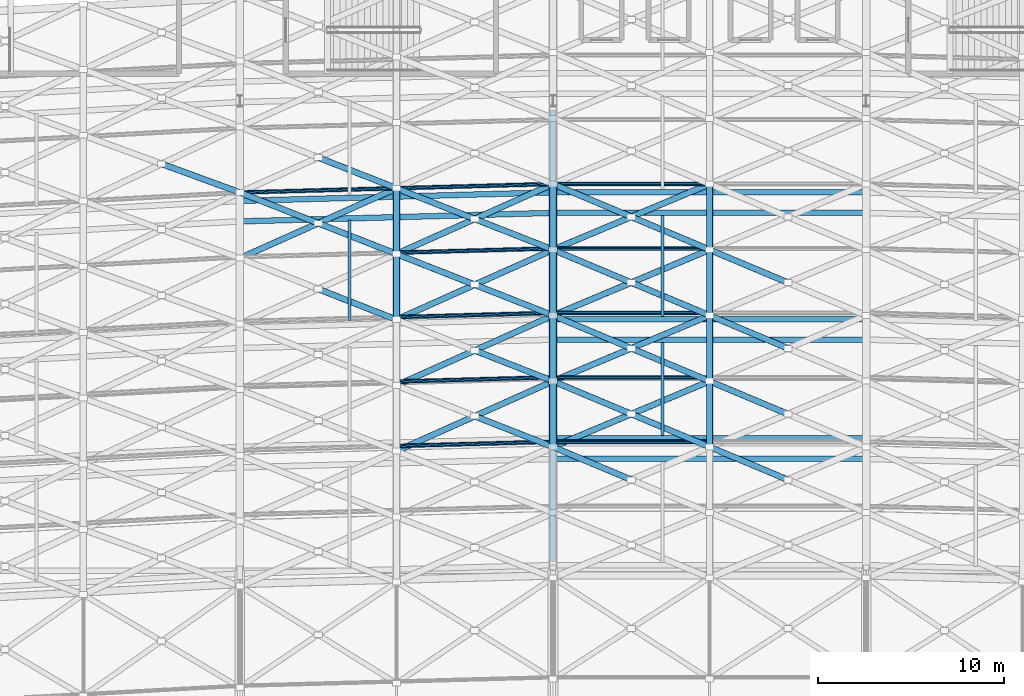
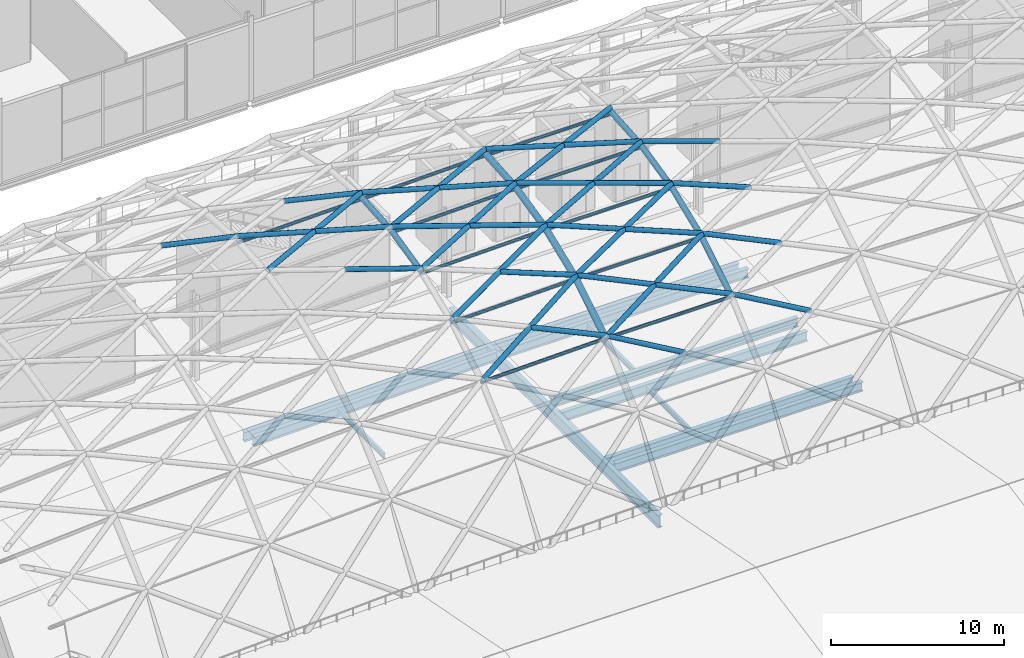
# One storey, part 19 of 100: 54 members, 12 beams.
"""IFC4 building model written with IfcOpenShell, lengths in metres."""

from ifc_helpers import new_model, si_unit, direction, frame, origin, origin_2d, place, context, subcontext, project, spatial, hollow_circle, i_section, extrude, material, material_profile, profile_set, type_object, element, save


model = new_model("IFC4")

# Units and contexts
model_context = context("Model", 3, precision=1e-05, world=origin(), true_north=direction((0.0, 1.0)))
body_context = subcontext(model_context, "Body", "Model", "MODEL_VIEW")
ifc_project = project(units=[si_unit("LENGTHUNIT", "METRE"), si_unit("AREAUNIT", "SQUARE_METRE"), si_unit("VOLUMEUNIT", "CUBIC_METRE"), si_unit("PLANEANGLEUNIT", "RADIAN"), si_unit("MASSUNIT", "GRAM", prefix="KILO")], contexts=[model_context])

# Site, building, storey
site_placement = place(None, origin())
site = spatial("IfcSite", under=ifc_project, at=site_placement, CompositionType="ELEMENT")
building_placement = place(site_placement, origin())
building = spatial("IfcBuilding", under=site, at=building_placement, Name="Kimbaza Rail Terminus", CompositionType="ELEMENT")
storey_placement = place(building_placement, frame((0.0, 0.0, 10.800048828125)))
storey = spatial("IfcBuildingStorey", under=building, at=storey_placement, Name="L02", CompositionType="ELEMENT", Elevation=10.800048828125)

# Beams
ifc_material_1 = material(Name="Steel S355", Category="steel")
ifc_material_profile_1 = material_profile(ifc_material_1, i_section(OverallWidth=0.300048828125, OverallDepth=0.64990234375, WebThickness=0.01611328125, FlangeThickness=0.031005859375, FilletRadius=0.027099609375, at=origin_2d()), Name="HEB 650")
ifc_profile_set_1 = profile_set([ifc_material_profile_1], Name="Steel S355")
beam_type_1 = type_object("IfcBeamType", Name="STR-BM-HEB650", PredefinedType="USERDEFINED", material=ifc_profile_set_1)
beam_1_placement = place(storey_placement, frame((88.945068359375, 73.74169921875, -0.5849609375), z_axis=(0.999632852013, 0.027095408765, 0.0), x_axis=(-0.027095408765, 0.999632852013, 0.0)))
element("IfcBeam", 1, at=beam_1_placement, inside=storey, type_object=beam_type_1, Name="Viaduct Chorded Girder P2 Bay 05", ObjectType="GIRDER", PredefinedType="USERDEFINED", context=body_context, shape_type="SweptSolid", body=[
    extrude(i_section(OverallWidth=0.300048828125, OverallDepth=0.64990234375, WebThickness=0.01611328125, FlangeThickness=0.031005859375, FilletRadius=0.027099609375, at=origin_2d()), origin(), (0.0, 0.0, 1.0), 16.51611328125),
])
for number, where, z_axis, x_axis, name in (
    (2, (105.7451171875, 60.9931640625, -0.5849609375), (1.0, 0.0, 0.0), (0.0, 1.0, 0.0), "Viaduct Chorded Girder P1 Bay 06"),
    (3, (105.7451171875, 68.4931640625, -0.5849609375), (1.0, 0.0, 0.0), (0.0, 1.0, 0.0), "Viaduct Chorded Girder P2 Bay 06"),
    (4, (105.7451171875, 74.193115234375, -0.5849609375), (1.0, 0.0, 0.0), (0.0, 1.0, 0.0), "Viaduct Chorded Girder P2 Bay 06"),
):
    element("IfcBeam", number, at=place(storey_placement, frame(where, z_axis=z_axis, x_axis=x_axis)), inside=storey, type_object=beam_type_1, Name=name, ObjectType="GIRDER", PredefinedType="USERDEFINED", context=body_context, shape_type="SweptSolid", body=[
        extrude(i_section(OverallWidth=0.300048828125, OverallDepth=0.64990234375, WebThickness=0.01611328125, FlangeThickness=0.031005859375, FilletRadius=0.027099609375, at=origin_2d()), origin(), (0.0, 0.0, 1.0), 16.509765625),
    ])
ifc_material_2 = material(Name="Steel S355", Category="steel")
ifc_material_profile_2 = material_profile(ifc_material_2, i_section(OverallWidth=0.300048828125, OverallDepth=0.699951171875, WebThickness=0.01708984375, FlangeThickness=0.031982421875, FilletRadius=0.027099609375, at=origin_2d()), Name="HEB 700")
ifc_profile_set_2 = profile_set([ifc_material_profile_2], Name="Steel S355")
beam_type_2 = type_object("IfcBeamType", Name="STR-BM-HEB700", PredefinedType="USERDEFINED", material=ifc_profile_set_2)
beam_2_placement = place(storey_placement, frame((88.945068359375, 74.841552734375, -0.920166015625), z_axis=(0.999632852013, 0.027095408765, 0.0), x_axis=(-0.027095408765, 0.999632852013, 0.0)))
element("IfcBeam", 5, at=beam_2_placement, inside=storey, type_object=beam_type_2, Name="Viaduct Chorded Girder TR34 Bay 05", ObjectType="GIRDER", PredefinedType="USERDEFINED", context=body_context, shape_type="SweptSolid", body=[
    extrude(i_section(OverallWidth=0.300048828125, OverallDepth=0.699951171875, WebThickness=0.01708984375, FlangeThickness=0.031982421875, FilletRadius=0.027099609375, at=origin_2d()), origin(), (0.0, 0.0, 1.0), 16.51611328125),
])
for number, where, z_axis, x_axis, name in (
    (6, (105.7451171875, 62.093017578125, -0.920166015625), (1.0, 0.0, 0.0), (0.0, 1.0, 0.0), "Viaduct Chorded Girder TR12 Bay 06"),
    (7, (105.7451171875, 67.39306640625, -0.920166015625), (1.0, 0.0, 0.0), (0.0, 1.0, 0.0), "Viaduct Chorded Girder TR12 Bay 06"),
    (8, (105.7451171875, 75.293212890625, -0.920166015625), (1.0, 0.0, 0.0), (0.0, 1.0, 0.0), "Viaduct Chorded Girder TR34 Bay 06"),
):
    element("IfcBeam", number, at=place(storey_placement, frame(where, z_axis=z_axis, x_axis=x_axis)), inside=storey, type_object=beam_type_2, Name=name, ObjectType="GIRDER", PredefinedType="USERDEFINED", context=body_context, shape_type="SweptSolid", body=[
        extrude(i_section(OverallWidth=0.300048828125, OverallDepth=0.699951171875, WebThickness=0.01708984375, FlangeThickness=0.031982421875, FilletRadius=0.027099609375, at=origin_2d()), origin(), (0.0, 0.0, 1.0), 16.509765625),
    ])
ifc_material_3 = material(Name="Steel S355", Category="steel")
ifc_material_profile_3 = material_profile(ifc_material_3, i_section(OverallWidth=0.302001953125, OverallDepth=0.909912109375, WebThickness=0.02099609375, FlangeThickness=0.0400390625, FilletRadius=0.030029296875, at=origin_2d()), Name="HEM 900")
ifc_profile_set_3 = profile_set([ifc_material_profile_3], Name="Steel S355")
beam_type_3 = type_object("IfcBeamType", Name="STR-BM-HEM900", PredefinedType="USERDEFINED", material=ifc_profile_set_3)
beam_3_placement = place(storey_placement, frame((105.60009765625, 55.498046875, -1.025146484375), z_axis=(0.0, 1.0, 0.0), x_axis=(-1.0, 0.0, 0.0)))
element("IfcBeam", 9, at=beam_3_placement, inside=storey, type_object=beam_type_3, Name="Warren Transfer Truss WT-03 Top Chord", ObjectType="GIRDER", PredefinedType="USERDEFINED", context=body_context, shape_type="SweptSolid", body=[
    extrude(i_section(OverallWidth=0.302001953125, OverallDepth=0.909912109375, WebThickness=0.02099609375, FlangeThickness=0.0400390625, FilletRadius=0.030029296875, at=origin_2d()), origin(), (0.0, 0.0, 1.0), 24.203857421875),
])
ifc_material_4 = material(Name="Steel S355", Category="steel")
ifc_material_profile_4 = material_profile(ifc_material_4, i_section(OverallWidth=0.169921875, OverallDepth=0.360107421875, WebThickness=0.008056640625, FlangeThickness=0.0126953125, FilletRadius=0.01806640625, at=origin_2d()), Name="IPE 360")
ifc_profile_set_4 = profile_set([ifc_material_profile_4], Name="Steel S355")
beam_type_4 = type_object("IfcBeamType", Name="STR-BM-IPE360", PredefinedType="JOIST", material=ifc_profile_set_4)
beam_4_placement = place(storey_placement, frame((94.679931640625, 68.410400390625, -0.43994140625), z_axis=(0.0, 1.0, 0.0), x_axis=(-1.0, 0.0, 0.0)))
element("IfcBeam", 10, at=beam_4_placement, inside=storey, type_object=beam_type_4, Name="Viaduct Diaphragm P2 Bay 05", PredefinedType="JOIST", context=body_context, shape_type="SweptSolid", body=[
    extrude(i_section(OverallWidth=0.169921875, OverallDepth=0.360107421875, WebThickness=0.008056640625, FlangeThickness=0.0126953125, FilletRadius=0.01806640625, at=origin_2d()), origin(), (0.0, 0.0, 1.0), 5.409912109375),
])
beam_5_placement = place(storey_placement, frame((111.47998046875, 62.238037109375, -0.75), z_axis=(0.0, 1.0, 0.0), x_axis=(-1.0, 0.0, 0.0)))
element("IfcBeam", 11, at=beam_5_placement, inside=storey, type_object=beam_type_4, Name="Viaduct Diaphragm TR12 Bay 06", PredefinedType="JOIST", context=body_context, shape_type="SweptSolid", body=[
    extrude(i_section(OverallWidth=0.169921875, OverallDepth=0.360107421875, WebThickness=0.008056640625, FlangeThickness=0.0126953125, FilletRadius=0.01806640625, at=origin_2d()), origin(), (0.0, 0.0, 1.0), 5.010009765625),
])
beam_6_placement = place(storey_placement, frame((111.47998046875, 68.63818359375, -0.43994140625), z_axis=(0.0, 1.0, 0.0), x_axis=(-1.0, 0.0, 0.0)))
element("IfcBeam", 12, at=beam_6_placement, inside=storey, type_object=beam_type_4, Name="Viaduct Diaphragm P2 Bay 06", PredefinedType="JOIST", context=body_context, shape_type="SweptSolid", body=[
    extrude(i_section(OverallWidth=0.169921875, OverallDepth=0.360107421875, WebThickness=0.008056640625, FlangeThickness=0.0126953125, FilletRadius=0.01806640625, at=origin_2d()), origin(), (0.0, 0.0, 1.0), 5.409912109375),
])

# Members
ifc_material_5 = material(Name="White painted steel S355", Category="steel")
ifc_material_profile_5 = material_profile(ifc_material_5, hollow_circle(Radius=0.109619140625, WallThickness=0.008056640625, at=origin_2d()), Name="CHS 219.1x8")
ifc_profile_set_5 = profile_set([ifc_material_profile_5], Name="White painted steel S355")
member_type_1 = type_object("IfcMemberType", Name="STR-MB-CHS219", PredefinedType="PURLIN", material=ifc_profile_set_5)
member_1_placement = place(storey_placement, frame((88.800048828125, 75.28759765625, 12.510009765625), z_axis=(0.999632526959, 0.027107398351, 0.0), x_axis=(-0.027107398351, 0.999632526959, 0.0)))
element("IfcMember", 13, at=member_1_placement, inside=storey, type_object=member_type_1, Name="Vault lattice longitudinal purlin VR-08-VA07", PredefinedType="PURLIN", context=body_context, shape_type="SweptSolid", body=[
    extrude(hollow_circle(Radius=0.109619140625, WallThickness=0.008056640625, at=origin_2d()), origin(), (0.0, 0.0, 1.0), 8.403076171875),
])
for number, where, z_axis, x_axis, name in (
    (14, (97.199951171875, 61.687255859375, 7.9716796875), (0.999632548307, 0.027106611084, 0.0), (-0.027106611084, 0.999632548307, 0.0), "Vault lattice longitudinal purlin VR-09-VA03"),
    (15, (97.199951171875, 65.144287109375, 10.078857421875), (0.999632548307, 0.027106611084, 0.0), (-0.027106611084, 0.999632548307, 0.0), "Vault lattice longitudinal purlin VR-09-VA04"),
    (16, (97.199951171875, 68.601318359375, 11.462158203125), (0.999632548307, 0.027106611084, 0.0), (-0.027106611084, 0.999632548307, 0.0), "Vault lattice longitudinal purlin VR-09-VA05"),
    (17, (97.199951171875, 72.058349609375, 12.25244140625), (0.999632548307, 0.027106611084, 0.0), (-0.027106611084, 0.999632548307, 0.0), "Vault lattice longitudinal purlin VR-09-VA06"),
    (18, (97.199951171875, 75.515380859375, 12.510009765625), (0.999632548307, 0.027106611084, 0.0), (-0.027106611084, 0.999632548307, 0.0), "Vault lattice longitudinal purlin VR-09-VA07"),
):
    element("IfcMember", number, at=place(storey_placement, frame(where, z_axis=z_axis, x_axis=x_axis)), inside=storey, type_object=member_type_1, Name=name, PredefinedType="PURLIN", context=body_context, shape_type="SweptSolid", body=[
        extrude(hollow_circle(Radius=0.109619140625, WallThickness=0.008056640625, at=origin_2d()), origin(), (0.0, 0.0, 1.0), 8.4033203125),
    ])
for number, where, z_axis, x_axis, name in (
    (19, (105.60009765625, 61.9150390625, 7.9716796875), (1.0, 0.0, 0.0), (0.0, 1.0, 0.0), "Vault lattice longitudinal purlin VR-10-VA03"),
    (20, (105.60009765625, 65.3720703125, 10.078857421875), (1.0, 0.0, 0.0), (0.0, 1.0, 0.0), "Vault lattice longitudinal purlin VR-10-VA04"),
    (21, (105.60009765625, 68.8291015625, 11.462158203125), (1.0, 0.0, 0.0), (0.0, 1.0, 0.0), "Vault lattice longitudinal purlin VR-10-VA05"),
    (22, (105.60009765625, 72.2861328125, 12.25244140625), (1.0, 0.0, 0.0), (0.0, 1.0, 0.0), "Vault lattice longitudinal purlin VR-10-VA06"),
    (23, (105.60009765625, 75.7431640625, 12.510009765625), (1.0, 0.0, 0.0), (0.0, 1.0, 0.0), "Vault lattice longitudinal purlin VR-10-VA07"),
):
    element("IfcMember", number, at=place(storey_placement, frame(where, z_axis=z_axis, x_axis=x_axis)), inside=storey, type_object=member_type_1, Name=name, PredefinedType="PURLIN", context=body_context, shape_type="SweptSolid", body=[
        extrude(hollow_circle(Radius=0.109619140625, WallThickness=0.008056640625, at=origin_2d()), origin(), (0.0, 0.0, 1.0), 8.39990234375),
    ])
ifc_material_6 = material(Name="White painted steel S355", Category="steel")
ifc_material_profile_6 = material_profile(ifc_material_6, hollow_circle(Radius=0.161865234375, WallThickness=0.010009765625, at=origin_2d()), Name="CHS 323.9x10")
ifc_profile_set_6 = profile_set([ifc_material_profile_6], Name="White painted steel S355")
member_type_2 = type_object("IfcMemberType", Name="STR-MB-CHS323", PredefinedType="STRUT", material=ifc_profile_set_6)
member_2_placement = place(storey_placement, frame((88.800048828125, 75.28759765625, 12.97998046875), z_axis=(-0.938802154619, 0.343203322118, -0.029359737208), x_axis=(-0.343351337448, -0.939207037385, 0.0)))
element("IfcMember", 24, at=member_2_placement, inside=storey, type_object=member_type_2, Name="Vault lattice diagonal B1 VR-07-VA07", PredefinedType="STRUT", context=body_context, shape_type="SweptSolid", body=[
    extrude(hollow_circle(Radius=0.161865234375, WallThickness=0.010009765625, at=origin_2d()), origin(), (0.0, 0.0, 1.0), 4.4736328125),
])
member_3_placement = place(storey_placement, frame((97.199951171875, 68.462158203125, 11.9111328125), z_axis=(-0.927102528361, 0.364093744208, 0.088975543471), x_axis=(-0.365543559049, -0.93079423421, 0.0)))
element("IfcMember", 25, at=member_3_placement, inside=storey, type_object=member_type_2, Name="Vault lattice diagonal B1 VR-08-VA05", PredefinedType="STRUT", context=body_context, shape_type="SweptSolid", body=[
    extrude(hollow_circle(Radius=0.161865234375, WallThickness=0.010009765625, at=origin_2d()), origin(), (0.0, 0.0, 1.0), 4.5302734375),
])
member_4_placement = place(storey_placement, frame((88.800048828125, 71.760986328125, 12.71728515625), z_axis=(0.912586348206, 0.407886789011, 0.028539874169), x_axis=(-0.408053007434, 0.912958237338, 0.0)))
element("IfcMember", 26, at=member_4_placement, inside=storey, type_object=member_type_2, Name="Vault lattice diagonal A VR-08-VA06", PredefinedType="STRUT", context=body_context, shape_type="SweptSolid", body=[
    extrude(hollow_circle(Radius=0.161865234375, WallThickness=0.010009765625, at=origin_2d()), origin(), (0.0, 0.0, 1.0), 9.20458984375),
])
for number, where, z_axis, x_axis, name in (
    (27, (97.199951171875, 71.98876953125, 12.71728515625), (-0.930400129761, 0.365388785483, 0.029096975517), (-0.365543559049, -0.93079423421, 0.0), "Vault lattice diagonal B1 VR-08-VA06"),
    (28, (93.0, 73.63818359375, 12.8486328125), (-0.930400129761, 0.365388785483, 0.029096975517), (-0.365543559049, -0.93079423421, 0.0), "Vault lattice diagonal B2 VR-08-VA06"),
    (29, (97.199951171875, 75.515380859375, 12.97998046875), (-0.930400129761, 0.365388785483, -0.029096975517), (-0.365543559049, -0.93079423421, 0.0), "Vault lattice diagonal B1 VR-08-VA07"),
):
    element("IfcMember", number, at=place(storey_placement, frame(where, z_axis=z_axis, x_axis=x_axis)), inside=storey, type_object=member_type_2, Name=name, PredefinedType="STRUT", context=body_context, shape_type="SweptSolid", body=[
        extrude(hollow_circle(Radius=0.161865234375, WallThickness=0.010009765625, at=origin_2d()), origin(), (0.0, 0.0, 1.0), 4.51416015625),
    ])
member_5_placement = place(storey_placement, frame((97.199951171875, 61.40869140625, 8.350341796875), z_axis=(0.889026747718, 0.397345113681, 0.227482532244), x_axis=(-0.408043122478, 0.912962655424, 0.0)))
element("IfcMember", 30, at=member_5_placement, inside=storey, type_object=member_type_2, Name="Vault lattice diagonal A VR-09-VA03", PredefinedType="STRUT", context=body_context, shape_type="SweptSolid", body=[
    extrude(hollow_circle(Radius=0.161865234375, WallThickness=0.010009765625, at=origin_2d()), origin(), (0.0, 0.0, 1.0), 9.44873046875),
])
member_6_placement = place(storey_placement, frame((105.60009765625, 61.636474609375, 8.350341796875), z_axis=(-0.905475244338, 0.35557956003, 0.231684609717), x_axis=(-0.365525150391, -0.930801463488, 0.0)))
element("IfcMember", 31, at=member_6_placement, inside=storey, type_object=member_type_2, Name="Vault lattice diagonal B1 VR-09-VA03", PredefinedType="STRUT", context=body_context, shape_type="SweptSolid", body=[
    extrude(hollow_circle(Radius=0.161865234375, WallThickness=0.010009765625, at=origin_2d()), origin(), (0.0, 0.0, 1.0), 4.638671875),
])
member_7_placement = place(storey_placement, frame((97.199951171875, 64.935302734375, 10.499755859375), z_axis=(0.902407645255, 0.40332562469, 0.151620850327), x_axis=(-0.408043122478, 0.912962655424, 0.0)))
element("IfcMember", 32, at=member_7_placement, inside=storey, type_object=member_type_2, Name="Vault lattice diagonal A VR-09-VA04", PredefinedType="STRUT", context=body_context, shape_type="SweptSolid", body=[
    extrude(hollow_circle(Radius=0.161865234375, WallThickness=0.010009765625, at=origin_2d()), origin(), (0.0, 0.0, 1.0), 9.30859375),
])
member_8_placement = place(storey_placement, frame((105.60009765625, 65.1630859375, 10.499755859375), z_axis=(-0.919620026832, 0.361134207235, 0.15453507891), x_axis=(-0.365525150391, -0.930801463488, 0.0)))
element("IfcMember", 33, at=member_8_placement, inside=storey, type_object=member_type_2, Name="Vault lattice diagonal B1 VR-09-VA04", PredefinedType="STRUT", context=body_context, shape_type="SweptSolid", body=[
    extrude(hollow_circle(Radius=0.161865234375, WallThickness=0.010009765625, at=origin_2d()), origin(), (0.0, 0.0, 1.0), 4.5673828125),
])
member_9_placement = place(storey_placement, frame((97.199951171875, 68.462158203125, 11.9111328125), z_axis=(0.909488268743, 0.406463833187, 0.087282537373), x_axis=(-0.408021005831, 0.912972540004, 0.0)))
element("IfcMember", 34, at=member_9_placement, inside=storey, type_object=member_type_2, Name="Vault lattice diagonal A VR-09-VA05", PredefinedType="STRUT", context=body_context, shape_type="SweptSolid", body=[
    extrude(hollow_circle(Radius=0.161865234375, WallThickness=0.010009765625, at=origin_2d()), origin(), (0.0, 0.0, 1.0), 9.236083984375),
])
member_10_placement = place(storey_placement, frame((105.60009765625, 68.689697265625, 11.9111328125), z_axis=(-0.927091908101, 0.364122298479, 0.088969352492), x_axis=(-0.36557202405, -0.930783054869, 0.0)))
element("IfcMember", 35, at=member_10_placement, inside=storey, type_object=member_type_2, Name="Vault lattice diagonal B1 VR-09-VA05", PredefinedType="STRUT", context=body_context, shape_type="SweptSolid", body=[
    extrude(hollow_circle(Radius=0.161865234375, WallThickness=0.010009765625, at=origin_2d()), origin(), (0.0, 0.0, 1.0), 4.530517578125),
])
member_11_placement = place(storey_placement, frame((101.39990234375, 70.33935546875, 12.314208984375), z_axis=(-0.927102528361, 0.364093744208, 0.088975543471), x_axis=(-0.365543559049, -0.93079423421, 0.0)))
element("IfcMember", 36, at=member_11_placement, inside=storey, type_object=member_type_2, Name="Vault lattice diagonal B2 VR-09-VA05", PredefinedType="STRUT", context=body_context, shape_type="SweptSolid", body=[
    extrude(hollow_circle(Radius=0.161865234375, WallThickness=0.010009765625, at=origin_2d()), origin(), (0.0, 0.0, 1.0), 4.5302734375),
])
member_12_placement = place(storey_placement, frame((97.199951171875, 71.98876953125, 12.71728515625), z_axis=(0.912590782499, 0.407876916129, 0.028539183363), x_axis=(-0.408043122478, 0.912962655424, 0.0)))
element("IfcMember", 37, at=member_12_placement, inside=storey, type_object=member_type_2, Name="Vault lattice diagonal A VR-09-VA06", PredefinedType="STRUT", context=body_context, shape_type="SweptSolid", body=[
    extrude(hollow_circle(Radius=0.161865234375, WallThickness=0.010009765625, at=origin_2d()), origin(), (0.0, 0.0, 1.0), 9.204833984375),
])
member_13_placement = place(storey_placement, frame((105.60009765625, 72.21630859375, 12.71728515625), z_axis=(-0.930389010398, 0.365417260129, 0.029094936503), x_axis=(-0.36557202405, -0.930783054869, 0.0)))
element("IfcMember", 38, at=member_13_placement, inside=storey, type_object=member_type_2, Name="Vault lattice diagonal B1 VR-09-VA06", PredefinedType="STRUT", context=body_context, shape_type="SweptSolid", body=[
    extrude(hollow_circle(Radius=0.161865234375, WallThickness=0.010009765625, at=origin_2d()), origin(), (0.0, 0.0, 1.0), 4.514404296875),
])
member_14_placement = place(storey_placement, frame((101.39990234375, 73.865966796875, 12.8486328125), z_axis=(-0.930400129761, 0.365388785483, 0.029096975517), x_axis=(-0.365543559049, -0.93079423421, 0.0)))
element("IfcMember", 39, at=member_14_placement, inside=storey, type_object=member_type_2, Name="Vault lattice diagonal B2 VR-09-VA06", PredefinedType="STRUT", context=body_context, shape_type="SweptSolid", body=[
    extrude(hollow_circle(Radius=0.161865234375, WallThickness=0.010009765625, at=origin_2d()), origin(), (0.0, 0.0, 1.0), 4.51416015625),
])
member_15_placement = place(storey_placement, frame((109.800048828125, 59.873046875, 6.759033203125), z_axis=(-0.870439278187, 0.365470145111, 0.329798477895), x_axis=(-0.387129516355, -0.922025345404, 0.0)))
element("IfcMember", 40, at=member_15_placement, inside=storey, type_object=member_type_2, Name="Vault lattice diagonal B2 VR-10-VA02", PredefinedType="STRUT", context=body_context, shape_type="SweptSolid", body=[
    extrude(hollow_circle(Radius=0.161865234375, WallThickness=0.010009765625, at=origin_2d()), origin(), (0.0, 0.0, 1.0), 4.8251953125),
])
member_16_placement = place(storey_placement, frame((105.60009765625, 61.636474609375, 8.350341796875), z_axis=(0.897396130004, 0.376762398939, 0.229630748374), x_axis=(-0.387106733867, 0.922034910725, 0.0)))
element("IfcMember", 41, at=member_16_placement, inside=storey, type_object=member_type_2, Name="Vault lattice diagonal A VR-10-VA03", PredefinedType="STRUT", context=body_context, shape_type="SweptSolid", body=[
    extrude(hollow_circle(Radius=0.161865234375, WallThickness=0.010009765625, at=origin_2d()), origin(), (0.0, 0.0, 1.0), 9.3603515625),
])
for number, where, z_axis, x_axis, name in (
    (42, (114.0, 61.636474609375, 8.350341796875), (-0.897404948472, 0.376740018477, 0.229633004893), (-0.38708395067, -0.922044475681, 0.0), "Vault lattice diagonal B1 VR-10-VA03"),
    (43, (109.800048828125, 63.399658203125, 9.425048828125), (-0.897387311186, 0.376784778742, 0.229628491765), (-0.387129516355, -0.922025345404, 0.0), "Vault lattice diagonal B2 VR-10-VA03"),
):
    element("IfcMember", number, at=place(storey_placement, frame(where, z_axis=z_axis, x_axis=x_axis)), inside=storey, type_object=member_type_2, Name=name, PredefinedType="STRUT", context=body_context, shape_type="SweptSolid", body=[
        extrude(hollow_circle(Radius=0.161865234375, WallThickness=0.010009765625, at=origin_2d()), origin(), (0.0, 0.0, 1.0), 4.68017578125),
    ])
member_17_placement = place(storey_placement, frame((105.60009765625, 65.1630859375, 10.499755859375), z_axis=(0.911165232301, 0.382543212829, 0.153096733358), x_axis=(-0.387106733867, 0.922034910725, 0.0)))
element("IfcMember", 44, at=member_17_placement, inside=storey, type_object=member_type_2, Name="Vault lattice diagonal A VR-10-VA04", PredefinedType="STRUT", context=body_context, shape_type="SweptSolid", body=[
    extrude(hollow_circle(Radius=0.161865234375, WallThickness=0.010009765625, at=origin_2d()), origin(), (0.0, 0.0, 1.0), 9.21875),
])
for number, where, z_axis, x_axis, name in (
    (45, (114.0, 65.1630859375, 10.499755859375), (-0.911152306862, 0.382564268585, 0.153121043954), (-0.387129516355, -0.922025345404, 0.0), "Vault lattice diagonal B1 VR-10-VA04"),
    (46, (109.800048828125, 66.926513671875, 11.20556640625), (-0.911178157011, 0.382522156015, 0.153072421889), (-0.38708395067, -0.922044475681, 0.0), "Vault lattice diagonal B2 VR-10-VA04"),
):
    element("IfcMember", number, at=place(storey_placement, frame(where, z_axis=z_axis, x_axis=x_axis)), inside=storey, type_object=member_type_2, Name=name, PredefinedType="STRUT", context=body_context, shape_type="SweptSolid", body=[
        extrude(hollow_circle(Radius=0.161865234375, WallThickness=0.010009765625, at=origin_2d()), origin(), (0.0, 0.0, 1.0), 4.609375),
    ])
member_18_placement = place(storey_placement, frame((105.60009765625, 68.689697265625, 11.9111328125), z_axis=(0.918446051107, 0.385599988614, 0.088144767214), x_axis=(-0.387106733867, 0.922034910725, 0.0)))
element("IfcMember", 47, at=member_18_placement, inside=storey, type_object=member_type_2, Name="Vault lattice diagonal A VR-10-VA05", PredefinedType="STRUT", context=body_context, shape_type="SweptSolid", body=[
    extrude(hollow_circle(Radius=0.161865234375, WallThickness=0.010009765625, at=origin_2d()), origin(), (0.0, 0.0, 1.0), 9.145751953125),
])
member_19_placement = place(storey_placement, frame((114.0, 68.689697265625, 11.9111328125), z_axis=(-0.918436597045, 0.385622713507, 0.088143859892), x_axis=(-0.387129516355, -0.922025345404, 0.0)))
element("IfcMember", 48, at=member_19_placement, inside=storey, type_object=member_type_2, Name="Vault lattice diagonal B1 VR-10-VA05", PredefinedType="STRUT", context=body_context, shape_type="SweptSolid", body=[
    extrude(hollow_circle(Radius=0.161865234375, WallThickness=0.010009765625, at=origin_2d()), origin(), (0.0, 0.0, 1.0), 4.572998046875),
])
member_20_placement = place(storey_placement, frame((109.800048828125, 70.453125, 12.314208984375), z_axis=(-0.918455504807, 0.385577263019, 0.088145674501), x_axis=(-0.38708395067, -0.922044475681, 0.0)))
element("IfcMember", 49, at=member_20_placement, inside=storey, type_object=member_type_2, Name="Vault lattice diagonal B2 VR-10-VA05", PredefinedType="STRUT", context=body_context, shape_type="SweptSolid", body=[
    extrude(hollow_circle(Radius=0.161865234375, WallThickness=0.010009765625, at=origin_2d()), origin(), (0.0, 0.0, 1.0), 4.57275390625),
])
member_21_placement = place(storey_placement, frame((105.60009765625, 72.21630859375, 12.71728515625), z_axis=(0.921642270206, 0.386968675097, 0.028823085588), x_axis=(-0.387129516355, 0.922025345404, 0.0)))
element("IfcMember", 50, at=member_21_placement, inside=storey, type_object=member_type_2, Name="Vault lattice diagonal A VR-10-VA06", PredefinedType="STRUT", context=body_context, shape_type="SweptSolid", body=[
    extrude(hollow_circle(Radius=0.161865234375, WallThickness=0.010009765625, at=origin_2d()), origin(), (0.0, 0.0, 1.0), 9.114013671875),
])
for number, where, z_axis, x_axis, name in (
    (51, (114.0, 72.21630859375, 12.71728515625), (-0.921642270206, 0.386968675097, 0.028823085588), (-0.387129516355, -0.922025345404, 0.0), "Vault lattice diagonal B1 VR-10-VA06"),
    (52, (109.800048828125, 73.979736328125, 12.8486328125), (-0.921642270206, 0.386968675097, 0.028823085588), (-0.387129516355, -0.922025345404, 0.0), "Vault lattice diagonal B2 VR-10-VA06"),
):
    element("IfcMember", number, at=place(storey_placement, frame(where, z_axis=z_axis, x_axis=x_axis)), inside=storey, type_object=member_type_2, Name=name, PredefinedType="STRUT", context=body_context, shape_type="SweptSolid", body=[
        extrude(hollow_circle(Radius=0.161865234375, WallThickness=0.010009765625, at=origin_2d()), origin(), (0.0, 0.0, 1.0), 4.55712890625),
    ])
member_22_placement = place(storey_placement, frame((118.199951171875, 59.873046875, 6.759033203125), z_axis=(-0.870439278187, 0.365470145111, 0.329798477895), x_axis=(-0.387129516355, -0.922025345404, 0.0)))
element("IfcMember", 53, at=member_22_placement, inside=storey, type_object=member_type_2, Name="Vault lattice diagonal B2 VR-11-VA02", PredefinedType="STRUT", context=body_context, shape_type="SweptSolid", body=[
    extrude(hollow_circle(Radius=0.161865234375, WallThickness=0.010009765625, at=origin_2d()), origin(), (0.0, 0.0, 1.0), 4.8251953125),
])
member_23_placement = place(storey_placement, frame((118.199951171875, 63.399658203125, 9.425048828125), z_axis=(-0.897387311186, 0.376784778742, 0.229628491765), x_axis=(-0.387129516355, -0.922025345404, 0.0)))
element("IfcMember", 54, at=member_23_placement, inside=storey, type_object=member_type_2, Name="Vault lattice diagonal B2 VR-11-VA03", PredefinedType="STRUT", context=body_context, shape_type="SweptSolid", body=[
    extrude(hollow_circle(Radius=0.161865234375, WallThickness=0.010009765625, at=origin_2d()), origin(), (0.0, 0.0, 1.0), 4.68017578125),
])
member_24_placement = place(storey_placement, frame((118.199951171875, 66.926513671875, 11.20556640625), z_axis=(-0.911178157011, 0.382522156015, 0.153072421889), x_axis=(-0.38708395067, -0.922044475681, 0.0)))
element("IfcMember", 55, at=member_24_placement, inside=storey, type_object=member_type_2, Name="Vault lattice diagonal B2 VR-11-VA04", PredefinedType="STRUT", context=body_context, shape_type="SweptSolid", body=[
    extrude(hollow_circle(Radius=0.161865234375, WallThickness=0.010009765625, at=origin_2d()), origin(), (0.0, 0.0, 1.0), 4.609375),
])
member_25_placement = place(storey_placement, frame((118.199951171875, 70.453125, 12.314208984375), z_axis=(-0.918455504807, 0.385577263019, 0.088145674501), x_axis=(-0.38708395067, -0.922044475681, 0.0)))
element("IfcMember", 56, at=member_25_placement, inside=storey, type_object=member_type_2, Name="Vault lattice diagonal B2 VR-11-VA05", PredefinedType="STRUT", context=body_context, shape_type="SweptSolid", body=[
    extrude(hollow_circle(Radius=0.161865234375, WallThickness=0.010009765625, at=origin_2d()), origin(), (0.0, 0.0, 1.0), 4.57275390625),
])
ifc_material_7 = material(Name="White painted steel S355", Category="steel")
ifc_material_profile_7 = material_profile(ifc_material_7, hollow_circle(Radius=0.177734375, WallThickness=0.012451171875, at=origin_2d()), Name="CHS 355.6x12.5")
ifc_profile_set_7 = profile_set([ifc_material_profile_7], Name="White painted steel S355")
member_type_3 = type_object("IfcMemberType", Name="STR-MB-CHS355", PredefinedType="CHORD", material=ifc_profile_set_7)
member_26_placement = place(storey_placement, frame((97.199951171875, 68.551025390625, 11.62451171875), z_axis=(0.0, 0.974845354939, 0.22288233208), x_axis=(-1.0, 0.0, 0.0)))
element("IfcMember", 57, at=member_26_placement, inside=storey, type_object=member_type_3, Name="Vault lattice arch chord VR-09 seg 6", PredefinedType="CHORD", context=body_context, shape_type="SweptSolid", body=[
    extrude(hollow_circle(Radius=0.177734375, WallThickness=0.012451171875, at=origin_2d()), origin(), (0.0, 0.0, 1.0), 3.572021484375),
])
member_27_placement = place(storey_placement, frame((97.199951171875, 72.033203125, 12.420654296875), z_axis=(0.0, 0.997239447362, 0.074252842537), x_axis=(-1.0, 0.0, 0.0)))
element("IfcMember", 58, at=member_27_placement, inside=storey, type_object=member_type_3, Name="Vault lattice arch chord VR-09 seg 7", PredefinedType="CHORD", context=body_context, shape_type="SweptSolid", body=[
    extrude(hollow_circle(Radius=0.177734375, WallThickness=0.012451171875, at=origin_2d()), origin(), (0.0, 0.0, 1.0), 3.49169921875),
])
member_28_placement = place(storey_placement, frame((114.0, 61.814208984375, 8.108642578125), z_axis=(0.0, 0.853901304322, 0.520434974302), x_axis=(-1.0, 0.0, 0.0)))
element("IfcMember", 59, at=member_28_placement, inside=storey, type_object=member_type_3, Name="Vault lattice arch chord VR-11 seg 4", PredefinedType="CHORD", context=body_context, shape_type="SweptSolid", body=[
    extrude(hollow_circle(Radius=0.177734375, WallThickness=0.012451171875, at=origin_2d()), origin(), (0.0, 0.0, 1.0), 4.077880859375),
])
member_29_placement = place(storey_placement, frame((114.0, 65.29638671875, 10.23095703125), z_axis=(0.0, 0.928413829694, 0.37154779078), x_axis=(-1.0, 0.0, 0.0)))
element("IfcMember", 60, at=member_29_placement, inside=storey, type_object=member_type_3, Name="Vault lattice arch chord VR-11 seg 5", PredefinedType="CHORD", context=body_context, shape_type="SweptSolid", body=[
    extrude(hollow_circle(Radius=0.177734375, WallThickness=0.012451171875, at=origin_2d()), origin(), (0.0, 0.0, 1.0), 3.750732421875),
])
member_30_placement = place(storey_placement, frame((114.0, 68.778564453125, 11.62451171875), z_axis=(0.0, 0.974848749884, 0.22286748271), x_axis=(-1.0, 0.0, 0.0)))
element("IfcMember", 61, at=member_30_placement, inside=storey, type_object=member_type_3, Name="Vault lattice arch chord VR-11 seg 6", PredefinedType="CHORD", context=body_context, shape_type="SweptSolid", body=[
    extrude(hollow_circle(Radius=0.177734375, WallThickness=0.012451171875, at=origin_2d()), origin(), (0.0, 0.0, 1.0), 3.572265625),
])
member_31_placement = place(storey_placement, frame((114.0, 72.260986328125, 12.420654296875), z_axis=(0.0, 0.997239447362, 0.074252842537), x_axis=(-1.0, 0.0, 0.0)))
element("IfcMember", 62, at=member_31_placement, inside=storey, type_object=member_type_3, Name="Vault lattice arch chord VR-11 seg 7", PredefinedType="CHORD", context=body_context, shape_type="SweptSolid", body=[
    extrude(hollow_circle(Radius=0.177734375, WallThickness=0.012451171875, at=origin_2d()), origin(), (0.0, 0.0, 1.0), 3.49169921875),
])
ifc_material_8 = material(Name="White painted steel S355", Category="steel")
ifc_material_profile_8 = material_profile(ifc_material_8, hollow_circle(Radius=0.203125, WallThickness=0.01416015625, at=origin_2d()), Name="CHS 406.4x14.2")
ifc_profile_set_8 = profile_set([ifc_material_profile_8], Name="White painted steel S355")
member_type_4 = type_object("IfcMemberType", Name="STR-MB-CHS406", PredefinedType="CHORD", material=ifc_profile_set_8)
member_32_placement = place(storey_placement, frame((105.60009765625, 61.814208984375, 8.108642578125), z_axis=(0.0, 0.853901304322, 0.520434974302), x_axis=(-1.0, 0.0, 0.0)))
element("IfcMember", 63, at=member_32_placement, inside=storey, type_object=member_type_4, Name="Vault lattice arch chord VR-10 seg 4", PredefinedType="CHORD", context=body_context, shape_type="SweptSolid", body=[
    extrude(hollow_circle(Radius=0.203125, WallThickness=0.01416015625, at=origin_2d()), origin(), (0.0, 0.0, 1.0), 4.077880859375),
])
member_33_placement = place(storey_placement, frame((105.60009765625, 65.29638671875, 10.23095703125), z_axis=(0.0, 0.928413829694, 0.37154779078), x_axis=(-1.0, 0.0, 0.0)))
element("IfcMember", 64, at=member_33_placement, inside=storey, type_object=member_type_4, Name="Vault lattice arch chord VR-10 seg 5", PredefinedType="CHORD", context=body_context, shape_type="SweptSolid", body=[
    extrude(hollow_circle(Radius=0.203125, WallThickness=0.01416015625, at=origin_2d()), origin(), (0.0, 0.0, 1.0), 3.750732421875),
])
member_34_placement = place(storey_placement, frame((105.60009765625, 68.778564453125, 11.62451171875), z_axis=(0.0, 0.974848749884, 0.22286748271), x_axis=(-1.0, 0.0, 0.0)))
element("IfcMember", 65, at=member_34_placement, inside=storey, type_object=member_type_4, Name="Vault lattice arch chord VR-10 seg 6", PredefinedType="CHORD", context=body_context, shape_type="SweptSolid", body=[
    extrude(hollow_circle(Radius=0.203125, WallThickness=0.01416015625, at=origin_2d()), origin(), (0.0, 0.0, 1.0), 3.572265625),
])
member_35_placement = place(storey_placement, frame((105.60009765625, 72.260986328125, 12.420654296875), z_axis=(0.0, 0.997239447362, 0.074252842537), x_axis=(-1.0, 0.0, 0.0)))
element("IfcMember", 66, at=member_35_placement, inside=storey, type_object=member_type_4, Name="Vault lattice arch chord VR-10 seg 7", PredefinedType="CHORD", context=body_context, shape_type="SweptSolid", body=[
    extrude(hollow_circle(Radius=0.203125, WallThickness=0.01416015625, at=origin_2d()), origin(), (0.0, 0.0, 1.0), 3.49169921875),
])

save(model, "model.ifc")
